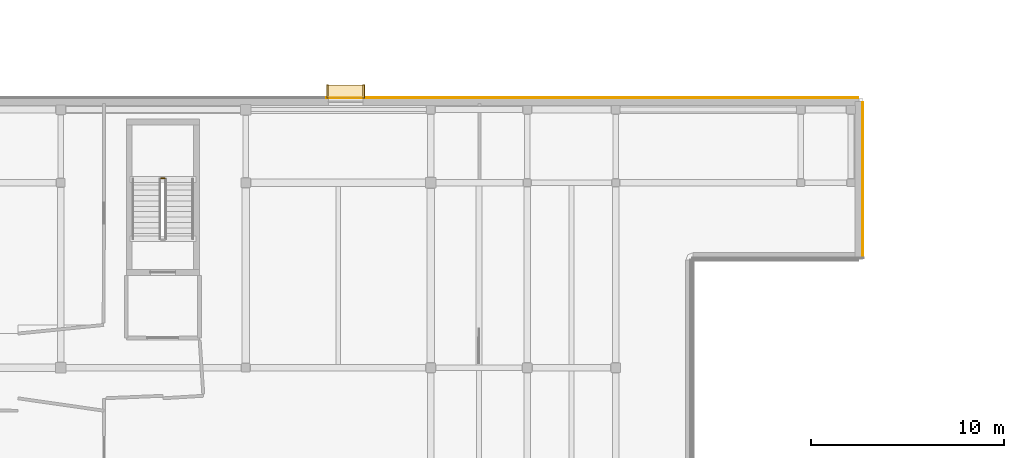
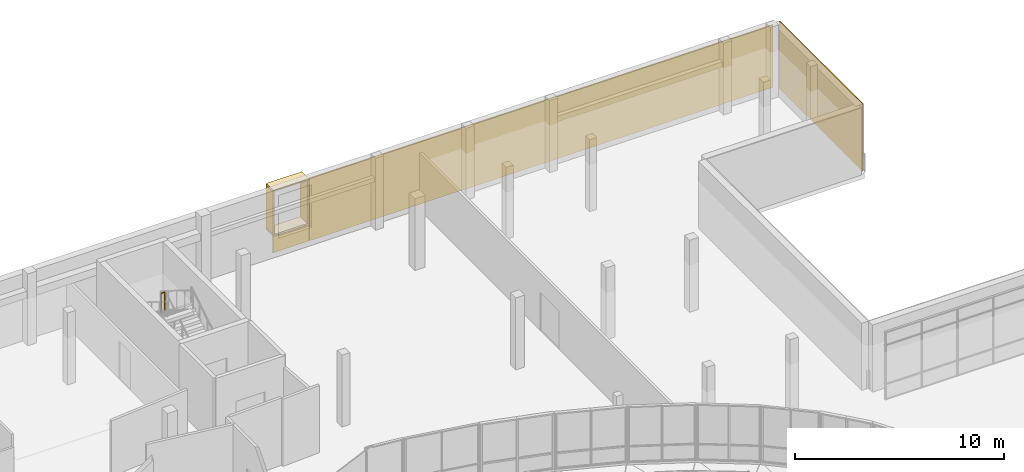
# One storey, part 72 of 73: 7 coverings, 1 railing.
"""IFC4 building model written with IfcOpenShell, lengths in metres."""

from ifc_helpers import new_model, si_unit, direction, frame, origin, origin_2d, place, context, subcontext, project, spatial, rectangle, circle, extrude, material, layer, layer_set, type_object, element, save


model = new_model("IFC4")

# Units and contexts
model_context = context("Model", 3, precision=1e-05, world=origin(), true_north=direction((0.0, 1.0)))
body_context = subcontext(model_context, "Body", "Model", "MODEL_VIEW")
ifc_project = project(units=[si_unit("LENGTHUNIT", "METRE"), si_unit("AREAUNIT", "SQUARE_METRE"), si_unit("VOLUMEUNIT", "CUBIC_METRE"), si_unit("PLANEANGLEUNIT", "RADIAN"), si_unit("MASSUNIT", "GRAM", prefix="KILO")], contexts=[model_context])

# Site, building, storey
site_placement = place(None, origin())
site = spatial("IfcSite", under=ifc_project, at=site_placement, CompositionType="ELEMENT")
building_placement = place(site_placement, origin())
building = spatial("IfcBuilding", under=site, at=building_placement, Name="Mzevani Central Library", CompositionType="ELEMENT")
storey_placement = place(building_placement, frame((0.0, 0.0, 9.60009765625)))
storey = spatial("IfcBuildingStorey", under=building, at=storey_placement, Name="L02", CompositionType="ELEMENT", Elevation=9.60009765625)

# Railing
ifc_material_1 = material(Name="Brushed stainless steel rail", Category="steel")
railing_type = type_object("IfcRailingType", Name="Interior Gallery and Stair Guard 1100", PredefinedType="BALUSTRADE", material=ifc_material_1)
railing_placement = place(storey_placement, frame((88.60009765625, 109.830078125, 2.099853515625)))
element("IfcRailing", 1, at=railing_placement, inside=storey, type_object=railing_type, Name="L02 ST-06 stair guard 2", PredefinedType="BALUSTRADE", context=body_context, shape_type="SweptSolid", body=[
    extrude(circle(Radius=0.02392578125, at=origin_2d()), frame((0.0, 0.0, 1.076171875), z_axis=(-1.0, 0.0, 0.0), x_axis=(0.0, -1.0, 0.0)), (0.0, 0.0, 1.0), 0.2001953125),
    extrude(circle(Radius=0.02099609375, at=origin_2d()), origin(), (0.0, 0.0, 1.0), 1.052001953125),
    extrude(circle(Radius=0.02099609375, at=origin_2d()), frame((-0.2001953125, 0.0, 0.0)), (0.0, 0.0, 1.0), 1.052001953125),
])

# Coverings
ifc_material_2 = material(Name="Limestone ashlar cladding", Category="masonry")
ifc_layer = layer(ifc_material_2, 0.050048828125, Name="Limestone Ashlar Spandrel Cladding")
ifc_layer_set = layer_set([ifc_layer], Name="Limestone ashlar cladding")
covering_type = type_object("IfcCoveringType", Name="Limestone Ashlar Spandrel Cladding", PredefinedType="CLADDING", material=ifc_layer_set)
for number, where, z_axis, x_axis, name in (
    (2, (97.981201171875, 114.337890625, 3.5498046875), (0.0, 0.0, 1.0), (1.0, 0.0, 0.0), "L02 Deep Window Reveal HD (REV4-0127)"),
    (3, (97.981201171875, 114.337890625, 0.9599609375), (0.0, 0.0, 1.0), (1.0, 0.0, 0.0), "L02 Deep Window Reveal SL (REV4-0127)"),
):
    element("IfcCovering", number, at=place(storey_placement, frame(where, z_axis=z_axis, x_axis=x_axis)), inside=storey, type_object=covering_type, Name=name, PredefinedType="CLADDING", context=body_context, shape_type="SweptSolid", body=[
        extrude(rectangle(XDim=1.97998046875, YDim=0.679931640625, at=origin_2d()), origin(), (0.0, 0.0, 1.0), 0.090087890625),
    ])
for number, where, z_axis, x_axis, name in (
    (4, (97.0361328125, 114.337890625, 1.0498046875), (0.0, 0.0, 1.0), (1.0, 0.0, 0.0), "L02 Deep Window Reveal JL (REV4-0127)"),
    (5, (98.92626953125, 114.337890625, 1.0498046875), (0.0, 0.0, 1.0), (1.0, 0.0, 0.0), "L02 Deep Window Reveal JR (REV4-0127)"),
):
    element("IfcCovering", number, at=place(storey_placement, frame(where, z_axis=z_axis, x_axis=x_axis)), inside=storey, type_object=covering_type, Name=name, PredefinedType="CLADDING", context=body_context, shape_type="SweptSolid", body=[
        extrude(rectangle(XDim=0.090087890625, YDim=0.679931640625, at=origin_2d()), origin(), (0.0, 0.0, 1.0), 2.5),
    ])
covering_1_placement = place(storey_placement, frame((97.981201171875, 114.02392578125, 0.0), z_axis=(0.0, 0.0, 1.0), x_axis=(1.0, 0.0, 0.0)))
element("IfcCovering", 6, at=covering_1_placement, inside=storey, type_object=covering_type, Name="L02 Warm-White Sill Cladding 4 (EW4-V3-L02-0054)", PredefinedType="CLADDING", context=body_context, shape_type="SweptSolid", body=[
    extrude(rectangle(XDim=2.0, YDim=0.050048828125, at=origin_2d()), origin(), (0.0, 0.0, 1.0), 0.949951171875),
])
covering_2_placement = place(storey_placement, frame((111.795654296875, 114.02392578125, 0.0), z_axis=(0.0, 0.0, 1.0), x_axis=(1.0, 0.0, 0.0)))
element("IfcCovering", 7, at=covering_2_placement, inside=storey, type_object=covering_type, Name="L02 Warm-White Facade Pier 5 (EW4-V3-L02-0054)", PredefinedType="CLADDING", context=body_context, shape_type="SweptSolid", body=[
    extrude(rectangle(XDim=25.5888671875, YDim=0.050048828125, at=origin_2d()), origin(), (0.0, 0.0, 1.0), 3.64990234375),
])
covering_3_placement = place(storey_placement, frame((124.823974609375, 109.800048828125, 0.0), z_axis=(0.0, 0.0, 1.0), x_axis=(0.0, -1.0, 0.0)))
element("IfcCovering", 8, at=covering_3_placement, inside=storey, type_object=covering_type, Name="L02 Warm-White Facade Cladding (EW4-V3-L02-0055)", PredefinedType="CLADDING", context=body_context, shape_type="SweptSolid", body=[
    extrude(rectangle(XDim=7.97998046875, YDim=0.050048828125, at=origin_2d()), origin(), (0.0, 0.0, 1.0), 3.919921875),
])

save(model, "model.ifc")
